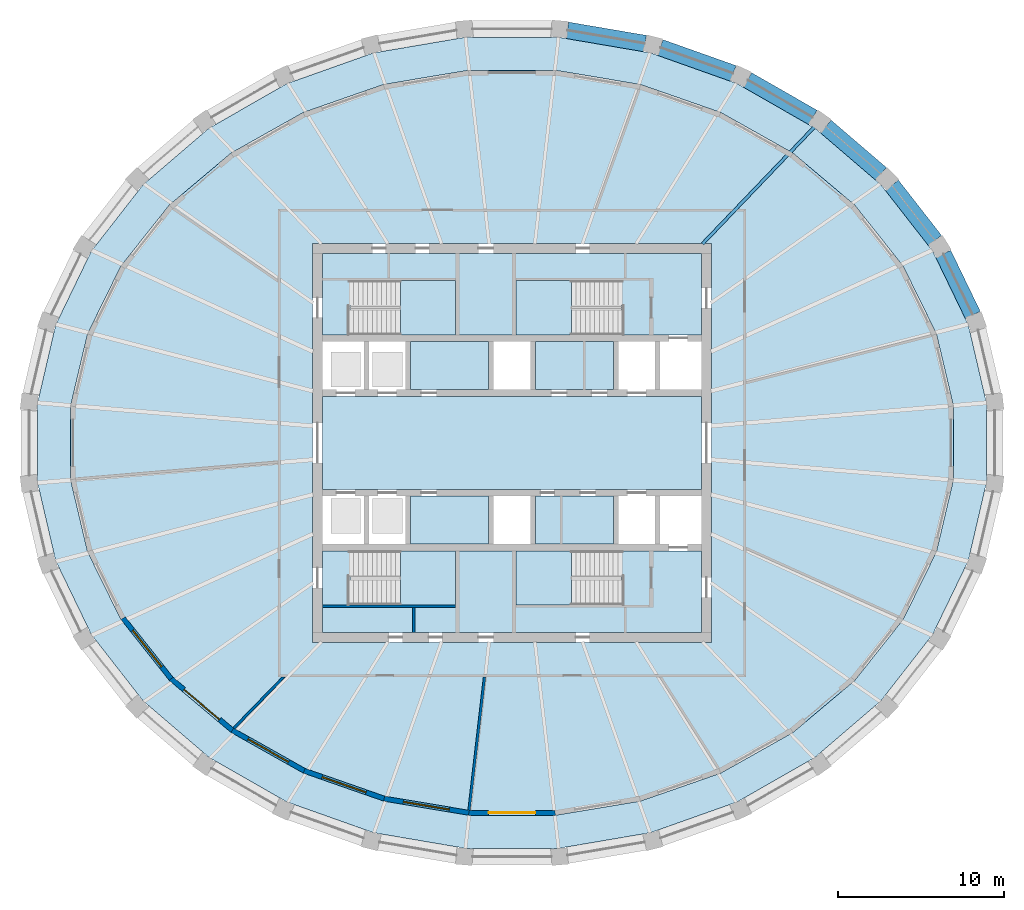
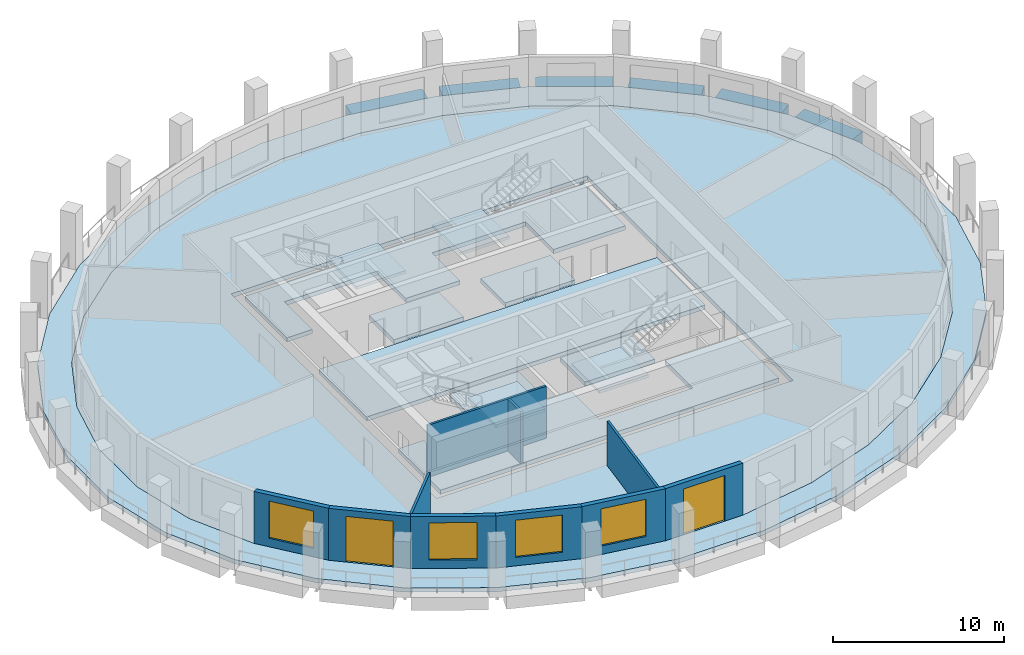
# One storey, part 2 of 10: 13 slabs, 10 walls, 7 beams, 4 windows, 2 doors, 6 openings, 4 elements without a shape of their own.
"""IFC4 building model written with IfcOpenShell, lengths in metres."""

from ifc_helpers import new_model, si_unit, direction, frame, frame_2d, origin, origin_2d, place, context, subcontext, project, spatial, polyline, rectangle, i_section, outline, extrude, material, layer, layer_set, material_profile, profile_set, type_object, element, fill, aggregate, save


model = new_model("IFC4")

# Units and contexts
model_context = context("Model", 3, precision=1e-05, world=origin(), true_north=direction((0.0, 1.0)))
body_context = subcontext(model_context, "Body", "Model", "MODEL_VIEW")
ifc_project = project(units=[si_unit("LENGTHUNIT", "METRE"), si_unit("AREAUNIT", "SQUARE_METRE"), si_unit("VOLUMEUNIT", "CUBIC_METRE"), si_unit("PLANEANGLEUNIT", "RADIAN"), si_unit("MASSUNIT", "GRAM", prefix="KILO")], contexts=[model_context])

# Site, building, storey
site_placement = place(None, origin())
site = spatial("IfcSite", under=ifc_project, at=site_placement, CompositionType="ELEMENT")
building_placement = place(site_placement, origin())
building = spatial("IfcBuilding", under=site, at=building_placement, Name="Halqa Exchange Tower", CompositionType="ELEMENT")
storey_placement = place(building_placement, frame((0.0, 0.0, 296.300048828125)))
storey = spatial("IfcBuildingStorey", under=building, at=storey_placement, Name="L69", CompositionType="ELEMENT", Elevation=296.300048828125)

# Beams
ifc_material_1 = material(Name="Steel S355", Category="steel")
ifc_material_profile_1 = material_profile(ifc_material_1, i_section(OverallWidth=0.18994140625, OverallDepth=0.449951171875, WebThickness=0.009521484375, FlangeThickness=0.0146484375, FilletRadius=0.02099609375, at=origin_2d()), Name="IPE 450")
ifc_profile_set_1 = profile_set([ifc_material_profile_1], Name="Steel S355")
beam_type_1 = type_object("IfcBeamType", Name="Floor beam IPE 450", PredefinedType="BEAM", material=ifc_profile_set_1)
beam_1_placement = place(storey_placement, frame((11.462890625, 11.97216796875, -0.525146484375), z_axis=(0.691588333375, 0.722291891924, 0.0), x_axis=(-0.722291891924, 0.691588333375, 0.0)))
element("IfcBeam", 1, at=beam_1_placement, inside=storey, type_object=beam_type_1, Name="Radial beam 5", PredefinedType="BEAM", context=body_context, shape_type="SweptSolid", body=[
    extrude(i_section(OverallWidth=0.18994140625, OverallDepth=0.449951171875, WebThickness=0.009521484375, FlangeThickness=0.0146484375, FilletRadius=0.02099609375, at=origin_2d()), origin(), (0.0, 0.0, 1.0), 9.820068359375),
])
ifc_material_2 = material(Name="Concrete C60/75", Category="concrete")
ifc_material_profile_2 = material_profile(ifc_material_2, rectangle(XDim=1.0, YDim=0.89990234375, at=origin_2d()), Name="1000 x 900")
ifc_profile_set_2 = profile_set([ifc_material_profile_2], Name="Concrete C60/75")
beam_type_2 = type_object("IfcBeamType", Name="RC spandrel beam 1000 x 900 C60/75", PredefinedType="SPANDREL", material=ifc_profile_set_2)
beam_2_placement = place(storey_placement, frame((27.720703125, 7.689453125, -0.449951171875), z_axis=(-0.435091897701, 0.900386050844, 0.0), x_axis=(-0.900386050844, -0.435091897701, 0.0)))
element("IfcBeam", 2, at=beam_2_placement, inside=storey, type_object=beam_type_2, Name="Spandrel 2", PredefinedType="SPANDREL", context=body_context, shape_type="SweptSolid", body=[
    extrude(rectangle(XDim=1.0, YDim=0.89990234375, at=origin_2d()), origin(), (0.0, 0.0, 1.0), 4.082275390625),
])
beam_3_placement = place(storey_placement, frame((25.4462890625, 12.16650390625, -0.449951171875), z_axis=(-0.614849113514, 0.788644766426, 0.0), x_axis=(-0.788644766426, -0.614849113514, 0.0)))
element("IfcBeam", 3, at=beam_3_placement, inside=storey, type_object=beam_type_2, Name="Spandrel 3", PredefinedType="SPANDREL", context=body_context, shape_type="SweptSolid", body=[
    extrude(rectangle(XDim=1.0, YDim=0.89990234375, at=origin_2d()), origin(), (0.0, 0.0, 1.0), 4.22119140625),
])
beam_4_placement = place(storey_placement, frame((22.19970703125, 16.177978515625, -0.449951171875), z_axis=(-0.759244795716, 0.650805147627, 0.0), x_axis=(-0.650805147627, -0.759244795716, 0.0)))
element("IfcBeam", 4, at=beam_4_placement, inside=storey, type_object=beam_type_2, Name="Spandrel 4", PredefinedType="SPANDREL", context=body_context, shape_type="SweptSolid", body=[
    extrude(rectangle(XDim=1.0, YDim=0.89990234375, at=origin_2d()), origin(), (0.0, 0.0, 1.0), 4.37890625),
])
beam_5_placement = place(storey_placement, frame((18.10302734375, 19.572509765625, -0.449951171875), z_axis=(-0.867765502357, 0.496973875489, 0.0), x_axis=(-0.496973875489, -0.867765502357, 0.0)))
element("IfcBeam", 5, at=beam_5_placement, inside=storey, type_object=beam_type_2, Name="Spandrel 5", PredefinedType="SPANDREL", context=body_context, shape_type="SweptSolid", body=[
    extrude(rectangle(XDim=1.0, YDim=0.89990234375, at=origin_2d()), origin(), (0.0, 0.0, 1.0), 4.533203125),
])
beam_6_placement = place(storey_placement, frame((13.310791015625, 22.2197265625, -0.449951171875), z_axis=(-0.942367036973, 0.334580883535, 0.0), x_axis=(-0.334580883535, -0.942367036973, 0.0)))
element("IfcBeam", 6, at=beam_6_placement, inside=storey, type_object=beam_type_2, Name="Spandrel 6", PredefinedType="SPANDREL", context=body_context, shape_type="SweptSolid", body=[
    extrude(rectangle(XDim=1.0, YDim=0.89990234375, at=origin_2d()), origin(), (0.0, 0.0, 1.0), 4.662109375),
])
beam_7_placement = place(storey_placement, frame((8.00390625, 24.017578125, -0.449951171875), z_axis=(-0.985779293953, 0.168045183248, 0.0), x_axis=(-0.168045183248, -0.985779293953, 0.0)))
element("IfcBeam", 7, at=beam_7_placement, inside=storey, type_object=beam_type_2, Name="Spandrel 7", PredefinedType="SPANDREL", context=body_context, shape_type="SweptSolid", body=[
    extrude(rectangle(XDim=1.0, YDim=0.89990234375, at=origin_2d()), origin(), (0.0, 0.0, 1.0), 4.743408203125),
])

# Slabs
ifc_layer_1 = layer(ifc_material_2, 0.300048828125)
ifc_layer_set_1 = layer_set([ifc_layer_1], Name="Concrete C60/75")
slab_type_1 = type_object("IfcSlabType", Name="Core floor slab 300", PredefinedType="FLOOR", material=ifc_layer_set_1)
slab_1_placement = place(storey_placement, frame((0.0, 0.0, -0.300048828125)))
element("IfcSlab", 8, at=slab_1_placement, inside=storey, type_object=slab_type_1, Name="Core floor slab", PredefinedType="FLOOR", context=body_context, shape_type="SweptSolid", body=[
    extrude(outline(polyline([(-11.39990234375, 2.800048828125), (11.39990234375, 2.800048828125), (11.39990234375, -2.800048828125), (-11.39990234375, -2.800048828125), (-11.39990234375, 2.800048828125)])), origin(), (0.0, 0.0, 1.0), 0.300048828125),
])
slab_2_placement = place(storey_placement, frame((0.0, 0.0, -0.300048828125)))
element("IfcSlab", 9, at=slab_2_placement, inside=storey, type_object=slab_type_1, Name="Core floor slab", PredefinedType="FLOOR", context=body_context, shape_type="SweptSolid", body=[
    extrude(outline(polyline([(-11.39990234375, 11.39990234375), (11.39990234375, 11.39990234375), (11.39990234375, 6.5), (6.550048828125, 6.5), (6.550048828125, 9.75), (0.25, 9.75), (0.25, 6.5), (-3.39990234375, 6.5), (-3.39990234375, 9.75), (-9.699951171875, 9.75), (-9.699951171875, 6.5), (-11.39990234375, 6.5), (-11.39990234375, 11.39990234375)])), origin(), (0.0, 0.0, 1.0), 0.300048828125),
])
slab_3_placement = place(storey_placement, frame((0.0, 0.0, -0.300048828125)))
element("IfcSlab", 10, at=slab_3_placement, inside=storey, type_object=slab_type_1, Name="Core floor slab", PredefinedType="FLOOR", context=body_context, shape_type="SweptSolid", body=[
    extrude(outline(polyline([(-11.39990234375, -6.5), (-9.699951171875, -6.5), (-9.699951171875, -9.75), (-3.39990234375, -9.75), (-3.39990234375, -6.5), (0.25, -6.5), (0.25, -9.75), (6.550048828125, -9.75), (6.550048828125, -6.5), (11.39990234375, -6.5), (11.39990234375, -11.39990234375), (-11.39990234375, -11.39990234375), (-11.39990234375, -6.5)])), origin(), (0.0, 0.0, 1.0), 0.300048828125),
])
slab_4_placement = place(storey_placement, frame((0.0, 0.0, -0.300048828125)))
element("IfcSlab", 11, at=slab_4_placement, inside=storey, type_object=slab_type_1, Name="Core floor slab", PredefinedType="FLOOR", context=body_context, shape_type="SweptSolid", body=[
    extrude(outline(polyline([(-1.39990234375, -3.199951171875), (-1.39990234375, -6.10009765625), (-6.10009765625, -6.10009765625), (-6.10009765625, -3.199951171875), (-1.39990234375, -3.199951171875)])), origin(), (0.0, 0.0, 1.0), 0.300048828125),
])
slab_5_placement = place(storey_placement, frame((0.0, 0.0, -0.300048828125)))
element("IfcSlab", 12, at=slab_5_placement, inside=storey, type_object=slab_type_1, Name="Core floor slab", PredefinedType="FLOOR", context=body_context, shape_type="SweptSolid", body=[
    extrude(outline(polyline([(-1.39990234375, 3.199951171875), (-6.10009765625, 3.199951171875), (-6.10009765625, 6.10009765625), (-1.39990234375, 6.10009765625), (-1.39990234375, 3.199951171875)])), origin(), (0.0, 0.0, 1.0), 0.300048828125),
])
slab_6_placement = place(storey_placement, frame((0.0, 0.0, -0.300048828125)))
element("IfcSlab", 13, at=slab_6_placement, inside=storey, type_object=slab_type_1, Name="Core floor slab", PredefinedType="FLOOR", context=body_context, shape_type="SweptSolid", body=[
    extrude(outline(polyline([(6.10009765625, -3.199951171875), (6.10009765625, -6.10009765625), (1.39990234375, -6.10009765625), (1.39990234375, -3.199951171875), (6.10009765625, -3.199951171875)])), origin(), (0.0, 0.0, 1.0), 0.300048828125),
])
slab_7_placement = place(storey_placement, frame((0.0, 0.0, -0.300048828125)))
element("IfcSlab", 14, at=slab_7_placement, inside=storey, type_object=slab_type_1, Name="Core floor slab", PredefinedType="FLOOR", context=body_context, shape_type="SweptSolid", body=[
    extrude(outline(polyline([(6.10009765625, 6.10009765625), (6.10009765625, 3.199951171875), (1.39990234375, 3.199951171875), (1.39990234375, 6.10009765625), (6.10009765625, 6.10009765625)])), origin(), (0.0, 0.0, 1.0), 0.300048828125),
])
ifc_material_3 = material(Name="Concrete C40/50", Category="concrete")
ifc_layer_2 = layer(ifc_material_3, 0.300048828125)
ifc_layer_set_2 = layer_set([ifc_layer_2], Name="Concrete C40/50")
slab_type_2 = type_object("IfcSlabType", Name="RC floor slab 300", PredefinedType="FLOOR", material=ifc_layer_set_2)
slab_8_placement = place(storey_placement, frame((0.0, 0.0, -0.300048828125)))
element("IfcSlab", 15, at=slab_8_placement, inside=storey, type_object=slab_type_2, Name="Floor slab", PredefinedType="FLOOR", context=body_context, shape_type="SweptSolid", body=[
    extrude(outline(polyline([(26.55712890625, 2.21240234375), (25.5322265625, 6.55078125), (23.523681640625, 10.63330078125), (20.611572265625, 14.302978515625), (16.90966796875, 17.419921875), (12.561279296875, 19.866455078125), (7.733642578125, 21.550048828125), (2.611083984375, 22.407958984375), (-2.611083984375, 22.407958984375), (-7.733642578125, 21.550048828125), (-12.561279296875, 19.866455078125), (-16.90966796875, 17.419921875), (-20.611572265625, 14.302978515625), (-23.523681640625, 10.63330078125), (-25.5322265625, 6.55078125), (-26.55712890625, 2.21240234375), (-26.55712890625, -2.21240234375), (-25.5322265625, -6.55078125), (-23.523681640625, -10.63330078125), (-20.611572265625, -14.302978515625), (-16.90966796875, -17.419921875), (-12.561279296875, -19.866455078125), (-7.733642578125, -21.550048828125), (-2.611083984375, -22.407958984375), (2.611083984375, -22.407958984375), (7.733642578125, -21.550048828125), (12.561279296875, -19.866455078125), (16.90966796875, -17.419921875), (20.611572265625, -14.302978515625), (23.523681640625, -10.63330078125), (25.5322265625, -6.55078125), (26.55712890625, -2.21240234375), (26.55712890625, 2.21240234375)]), holes=[polyline([(-12.0, -12.0), (12.0, -12.0), (12.0, 12.0), (-12.0, 12.0), (-12.0, -12.0)])]), origin(), (0.0, 0.0, 1.0), 0.300048828125),
])
ifc_layer_3 = layer(ifc_material_3, 0.300048828125)
ifc_layer_set_3 = layer_set([ifc_layer_3], Name="Concrete C40/50")
slab_type_3 = type_object("IfcSlabType", Name="RC loggia slab 300", PredefinedType="FLOOR", material=ifc_layer_set_3)
slab_9_placement = place(storey_placement, frame((0.0, 0.0, -0.300048828125)))
element("IfcSlab", 16, at=slab_9_placement, inside=storey, type_object=slab_type_3, Name="Loggia slab", PredefinedType="FLOOR", context=body_context, shape_type="SweptSolid", body=[
    extrude(outline(polyline([(28.543701171875, 2.39453125), (28.543701171875, -2.39453125), (27.452880859375, -7.09423828125), (25.311279296875, -11.526611328125), (22.1962890625, -15.522216796875), (18.224853515625, -18.926513671875), (13.547607421875, -21.60498046875), (8.34521484375, -23.452392578125), (2.818359375, -24.39453125), (-2.818359375, -24.39453125), (-8.34521484375, -23.452392578125), (-13.547607421875, -21.60498046875), (-18.224853515625, -18.926513671875), (-22.1962890625, -15.522216796875), (-25.311279296875, -11.526611328125), (-27.452880859375, -7.09423828125), (-28.543701171875, -2.39453125), (-28.543701171875, 2.39453125), (-27.452880859375, 7.09423828125), (-25.311279296875, 11.526611328125), (-22.1962890625, 15.522216796875), (-18.224853515625, 18.926513671875), (-13.547607421875, 21.60498046875), (-8.34521484375, 23.452392578125), (-2.818359375, 24.39453125), (2.818359375, 24.39453125), (8.34521484375, 23.452392578125), (13.547607421875, 21.60498046875), (18.224853515625, 18.926513671875), (22.1962890625, 15.522216796875), (25.311279296875, 11.526611328125), (27.452880859375, 7.09423828125), (28.543701171875, 2.39453125)]), holes=[polyline([(26.55712890625, 2.21240234375), (25.5322265625, 6.55078125), (23.523681640625, 10.63330078125), (20.611572265625, 14.302978515625), (16.90966796875, 17.419921875), (12.561279296875, 19.866455078125), (7.733642578125, 21.550048828125), (2.611083984375, 22.407958984375), (-2.611083984375, 22.407958984375), (-7.733642578125, 21.550048828125), (-12.561279296875, 19.866455078125), (-16.90966796875, 17.419921875), (-20.611572265625, 14.302978515625), (-23.523681640625, 10.63330078125), (-25.5322265625, 6.55078125), (-26.55712890625, 2.21240234375), (-26.55712890625, -2.21240234375), (-25.5322265625, -6.55078125), (-23.523681640625, -10.63330078125), (-20.611572265625, -14.302978515625), (-16.90966796875, -17.419921875), (-12.561279296875, -19.866455078125), (-7.733642578125, -21.550048828125), (-2.611083984375, -22.407958984375), (2.611083984375, -22.407958984375), (7.733642578125, -21.550048828125), (12.561279296875, -19.866455078125), (16.90966796875, -17.419921875), (20.611572265625, -14.302978515625), (23.523681640625, -10.63330078125), (25.5322265625, -6.55078125), (26.55712890625, -2.21240234375), (26.55712890625, 2.21240234375)])]), origin(), (0.0, 0.0, 1.0), 0.300048828125),
])

# Stair, slab
ifc_material_4 = material(Name="Concrete C30/37", Category="concrete")
stair_type = type_object("IfcStairType", Name="Exit stair 1500 wide", PredefinedType="HALF_TURN_STAIR", material=ifc_material_4)
stair_1_placement = place(storey_placement, origin())
stair_1 = element("IfcStair", 17, at=stair_1_placement, inside=storey, type_object=stair_type, Name="Exit stair ST1", PredefinedType="HALF_TURN_STAIR")
ifc_layer_4 = layer(ifc_material_4, 0.199951171875)
ifc_layer_set_4 = layer_set([ifc_layer_4], Name="Concrete C30/37")
slab_type_4 = type_object("IfcSlabType", Name="Stair landing 200 slab", PredefinedType="LANDING", material=ifc_layer_set_4)
slab_10_placement = place(storey_placement, frame((0.0, 0.0, 1.800048828125)))
slab_10 = element("IfcSlab", 18, at=slab_10_placement, type_object=slab_type_4, Name="ST1 landing 1", PredefinedType="LANDING", context=body_context, shape_type="SweptSolid", body=[
    extrude(outline(polyline([(-6.719970703125, 6.5), (-3.39990234375, 6.5), (-3.39990234375, 9.75), (-6.719970703125, 9.75), (-6.719970703125, 6.5)])), origin(), (0.0, 0.0, 1.0), 0.199951171875),
])
aggregate(stair_1, [slab_10])

stair_2_placement = place(storey_placement, origin())
stair_2 = element("IfcStair", 19, at=stair_2_placement, inside=storey, type_object=stair_type, Name="Exit stair ST2", PredefinedType="HALF_TURN_STAIR")
slab_11_placement = place(storey_placement, frame((0.0, 0.0, 1.800048828125)))
slab_11 = element("IfcSlab", 20, at=slab_11_placement, type_object=slab_type_4, Name="ST2 landing 1", PredefinedType="LANDING", context=body_context, shape_type="SweptSolid", body=[
    extrude(outline(polyline([(0.25, 6.5), (3.570068359375, 6.5), (3.570068359375, 9.75), (0.25, 9.75), (0.25, 6.5)])), origin(), (0.0, 0.0, 1.0), 0.199951171875),
])
aggregate(stair_2, [slab_11])

stair_3_placement = place(storey_placement, origin())
stair_3 = element("IfcStair", 21, at=stair_3_placement, inside=storey, type_object=stair_type, Name="Exit stair ST3", PredefinedType="HALF_TURN_STAIR")
slab_12_placement = place(storey_placement, frame((0.0, 0.0, 1.800048828125)))
slab_12 = element("IfcSlab", 22, at=slab_12_placement, type_object=slab_type_4, Name="ST3 landing 1", PredefinedType="LANDING", context=body_context, shape_type="SweptSolid", body=[
    extrude(outline(polyline([(-6.719970703125, -9.75), (-3.39990234375, -9.75), (-3.39990234375, -6.5), (-6.719970703125, -6.5), (-6.719970703125, -9.75)])), origin(), (0.0, 0.0, 1.0), 0.199951171875),
])
aggregate(stair_3, [slab_12])

stair_4_placement = place(storey_placement, origin())
stair_4 = element("IfcStair", 23, at=stair_4_placement, inside=storey, type_object=stair_type, Name="Exit stair ST4", PredefinedType="HALF_TURN_STAIR")
slab_13_placement = place(storey_placement, frame((0.0, 0.0, 1.800048828125)))
slab_13 = element("IfcSlab", 24, at=slab_13_placement, type_object=slab_type_4, Name="ST4 landing 1", PredefinedType="LANDING", context=body_context, shape_type="SweptSolid", body=[
    extrude(outline(polyline([(0.25, -9.75), (3.570068359375, -9.75), (3.570068359375, -6.5), (0.25, -6.5), (0.25, -9.75)])), origin(), (0.0, 0.0, 1.0), 0.199951171875),
])
aggregate(stair_4, [slab_13])

# Walls
ifc_material_5 = material(Name="Fire-rated gypsum board")
ifc_layer_5 = layer(ifc_material_5, 0.14990234375)
ifc_layer_set_5 = layer_set([ifc_layer_5], Name="Fire-rated gypsum board")
wall_type_1 = type_object("IfcWallType", Name="Fire partition EI 60 150", PredefinedType="PARTITIONING", material=ifc_layer_set_5)
wall_1_placement = place(storey_placement, frame((-13.67236328125, -14.02294921875, 0.0), z_axis=(0.0, 0.0, 1.0), x_axis=(-0.697528481307, -0.716557058277, 0.0)))
element("IfcWall", 25, at=wall_1_placement, inside=storey, type_object=wall_type_1, Name="L69-PWL-006", PredefinedType="PARTITIONING", context=body_context, shape_type="SweptSolid", body=[
    extrude(outline(polyline([(0.0, 0.074951171875), (0.0, 0.07470703125), (0.1455078125, -0.074951171875), (1.555419921875, -0.074951171875), (2.965087890625, -0.074951171875), (4.375, -0.074951171875), (4.375, 0.074951171875), (2.916748046875, 0.074951171875), (1.458251953125, 0.074951171875), (0.0, 0.074951171875)])), origin(), (0.0, 0.0, 1.0), 3.699951171875),
])
wall_2_placement = place(storey_placement, frame((-1.647705078125, -14.06640625, 0.0), z_axis=(0.0, 0.0, 1.0), x_axis=(-0.115734847025, -0.993280144362, 0.0)))
element("IfcWall", 26, at=wall_2_placement, inside=storey, type_object=wall_type_1, Name="L69-PWL-007", PredefinedType="PARTITIONING", context=body_context, shape_type="SweptSolid", body=[
    extrude(outline(polyline([(8.092041015625, -0.074951171875), (8.092041015625, 0.033935546875), (8.087158203125, 0.074951171875), (6.4697265625, 0.074951171875), (4.852294921875, 0.074951171875), (3.23486328125, 0.074951171875), (1.617431640625, 0.074951171875), (0.0, 0.074951171875), (0.0, 0.07421875), (0.017333984375, -0.074951171875), (1.63232421875, -0.074951171875), (3.247314453125, -0.074951171875), (4.862060546875, -0.074951171875), (6.47705078125, -0.074951171875), (8.092041015625, -0.074951171875)])), origin(), (0.0, 0.0, 1.0), 3.14990234375),
])
ifc_material_6 = material(Name="Gypsum board")
ifc_layer_6 = layer(ifc_material_6, 0.14990234375)
ifc_layer_set_6 = layer_set([ifc_layer_6], Name="Gypsum board")
wall_type_2 = type_object("IfcWallType", Name="Penthouse riser wall 150 gypsum", PredefinedType="PARTITIONING", material=ifc_layer_set_6)
wall_3_placement = place(storey_placement, frame((-5.925048828125, -11.39990234375, 0.0), z_axis=(0.0, 0.0, 1.0), x_axis=(0.0, 1.0, 0.0)))
element("IfcWall", 27, at=wall_3_placement, inside=storey, type_object=wall_type_2, Name="Partition W5.925 S", PredefinedType="PARTITIONING", context=body_context, shape_type="SweptSolid", body=[
    extrude(rectangle(XDim=1.5, YDim=0.14990234375, at=frame_2d((0.75, 0.0))), origin(), (0.0, 0.0, 1.0), 3.699951171875),
])
ifc_layer_7 = layer(ifc_material_4, 0.14990234375)
ifc_layer_set_7 = layer_set([ifc_layer_7], Name="Concrete C30/37")
wall_type_3 = type_object("IfcWallType", Name="RC stair wall 150 C30/37", PredefinedType="SHEAR", material=ifc_layer_set_7)
wall_4_placement = place(storey_placement, frame((-11.39990234375, -9.824951171875, 0.0), z_axis=(0.0, 0.0, 1.0), x_axis=(1.0, 0.0, 0.0)))
element("IfcWall", 28, at=wall_4_placement, inside=storey, type_object=wall_type_3, Name="Stair ST1 north wall S", PredefinedType="SHEAR", context=body_context, shape_type="SweptSolid", body=[
    extrude(rectangle(XDim=8.0, YDim=0.14990234375, at=frame_2d((4.0, 0.0))), origin(), (0.0, 0.0, 1.0), 3.699951171875),
])

# Wall, opening, window
ifc_material_7 = material(Name="Limestone cladding", Category="masonry")
ifc_layer_8 = layer(ifc_material_7, 0.0400390625)
ifc_material_8 = material(Name="Ventilated cavity")
ifc_layer_9 = layer(ifc_material_8, 0.030029296875, ventilated=True)
ifc_material_9 = material(Name="Mineral wool insulation")
ifc_layer_10 = layer(ifc_material_9, 0.10009765625)
ifc_layer_11 = layer(ifc_material_4, 0.10009765625)
ifc_material_10 = material(Name="Internal plaster")
ifc_layer_12 = layer(ifc_material_10, 0.030029296875)
ifc_layer_set_8 = layer_set([ifc_layer_8, ifc_layer_9, ifc_layer_10, ifc_layer_11, ifc_layer_12], Name="Stone-faced insulated wall 300")
wall_type_4 = type_object("IfcWallType", Name="Stone-faced insulated wall 300", PredefinedType="STANDARD", material=ifc_layer_set_8)
wall_5_placement = place(storey_placement, frame((-23.396240234375, -10.552734375, 0.0), z_axis=(0.0, 0.0, 1.0), x_axis=(0.621625671247, -0.783314448256, 0.0)))
wall_5 = element("IfcWall", 29, at=wall_5_placement, inside=storey, type_object=wall_type_4, Name="Glass-line wall 19", PredefinedType="STANDARD", context=body_context, shape_type="SweptSolid", body=[
    extrude(outline(polyline([(-0.01611328125, -0.14990234375), (4.668701171875, -0.14990234375), (4.638427734375, 0.14990234375), (0.01611328125, 0.14990234375), (-0.01611328125, -0.14990234375)])), origin(), (0.0, 0.0, 1.0), 3.699951171875),
])
opening_1_placement = place(wall_5_placement, frame((0.927001953125, 0.0, 0.60009765625)))
opening_1 = element("IfcOpeningElement", 30, at=opening_1_placement, cuts=wall_5, Name="Opening W-F4-19", PredefinedType="OPENING", context=body_context, shape_type="SweptSolid", body=[
    extrude(rectangle(XDim=2.800048828125, YDim=2.64990234375, at=frame_2d((1.39990234375, 1.324951171875))), frame((0.0, 0.162109375, 0.0), z_axis=(0.0, -1.0, 0.0), x_axis=(1.0, 0.0, 0.0)), (0.0, 0.0, 1.0), 0.323974609375),
])
ifc_material_11 = material(Name="Clear low-emissivity glass in aluminium frame", Category="aluminium")
window_type = type_object("IfcWindowType", Name="Fixed clear glazed window 2800 x 2650", PartitioningType="DOUBLE_PANEL_VERTICAL", PredefinedType="WINDOW", material=ifc_material_11)
window_1_placement = place(opening_1_placement, origin())
window_1 = element("IfcWindow", 31, at=window_1_placement, inside=storey, type_object=window_type, Name="Window 4", OverallHeight=2.64990234375, OverallWidth=2.800048828125, PartitioningType="DOUBLE_PANEL_VERTICAL", PredefinedType="WINDOW", context=body_context, shape_type="SweptSolid", body=[
    extrude(rectangle(XDim=2.800048828125, YDim=2.64990234375, at=frame_2d((1.39990234375, 1.324951171875))), frame((0.0, 0.030029296875, 0.0), z_axis=(0.0, -1.0, 0.0), x_axis=(1.0, 0.0, 0.0)), (0.0, 0.0, 1.0), 0.06005859375),
])
fill(opening_1, window_1)

# Wall, opening, door
wall_6_placement = place(storey_placement, frame((-20.50341796875, -14.197998046875, 0.0), z_axis=(0.0, 0.0, 1.0), x_axis=(0.764966473721, -0.644070100286, 0.0)))
wall_6 = element("IfcWall", 32, at=wall_6_placement, inside=storey, type_object=wall_type_4, Name="Glass-line wall 20", PredefinedType="STANDARD", context=body_context, shape_type="SweptSolid", body=[
    extrude(outline(polyline([(-0.01513671875, -0.14990234375), (4.824462890625, -0.14990234375), (4.796142578125, 0.14990234375), (0.01513671875, 0.14990234375), (-0.01513671875, -0.14990234375)])), origin(), (0.0, 0.0, 1.0), 3.699951171875),
])
opening_2_placement = place(wall_6_placement, frame((1.005126953125, 0.0, 0.0)))
opening_2 = element("IfcOpeningElement", 33, at=opening_2_placement, cuts=wall_6, Name="Opening LG-F4-05", PredefinedType="OPENING", context=body_context, shape_type="SweptSolid", body=[
    extrude(rectangle(XDim=2.800048828125, YDim=3.25, at=frame_2d((1.39990234375, 1.625))), frame((0.0, 0.162109375, 0.0), z_axis=(0.0, -1.0, 0.0), x_axis=(1.0, 0.0, 0.0)), (0.0, 0.0, 1.0), 0.323974609375),
])
door_type = type_object("IfcDoorType", Name="Glazed sliding loggia door 2800 x 3250", OperationType="DOUBLE_DOOR_SLIDING", PredefinedType="DOOR", material=ifc_material_11)
door_1_placement = place(opening_2_placement, origin())
door_1 = element("IfcDoor", 34, at=door_1_placement, inside=storey, type_object=door_type, Name="Loggia door 5", OperationType="DOUBLE_DOOR_SLIDING", OverallHeight=3.25, OverallWidth=2.800048828125, PredefinedType="DOOR", context=body_context, shape_type="SweptSolid", body=[
    extrude(rectangle(XDim=2.800048828125, YDim=3.25, at=frame_2d((1.39990234375, 1.625))), frame((0.0, 0.02490234375, 0.0), z_axis=(0.0, -1.0, 0.0), x_axis=(1.0, 0.0, 0.0)), (0.0, 0.0, 1.0), 0.050048828125),
])
fill(opening_2, door_1)

# Wall, opening, window
wall_7_placement = place(storey_placement, frame((-16.82373046875, -17.296142578125, 0.0), z_axis=(0.0, 0.0, 1.0), x_axis=(0.871512454536, -0.490373369575, 0.0)))
wall_7 = element("IfcWall", 35, at=wall_7_placement, inside=storey, type_object=wall_type_4, Name="Glass-line wall 21", PredefinedType="STANDARD", context=body_context, shape_type="SweptSolid", body=[
    extrude(outline(polyline([(-0.01416015625, -0.14990234375), (4.97509765625, -0.14990234375), (4.9482421875, 0.14990234375), (0.01416015625, 0.14990234375), (-0.01416015625, -0.14990234375)])), origin(), (0.0, 0.0, 1.0), 3.699951171875),
])
opening_3_placement = place(wall_7_placement, frame((1.080810546875, 0.0, 0.60009765625)))
opening_3 = element("IfcOpeningElement", 36, at=opening_3_placement, cuts=wall_7, Name="Opening W-F4-21", PredefinedType="OPENING", context=body_context, shape_type="SweptSolid", body=[
    extrude(rectangle(XDim=2.800048828125, YDim=2.64990234375, at=frame_2d((1.39990234375, 1.324951171875))), frame((0.0, 0.162109375, 0.0), z_axis=(0.0, -1.0, 0.0), x_axis=(1.0, 0.0, 0.0)), (0.0, 0.0, 1.0), 0.323974609375),
])
window_2_placement = place(opening_3_placement, origin())
window_2 = element("IfcWindow", 37, at=window_2_placement, inside=storey, type_object=window_type, Name="Window 4", OverallHeight=2.64990234375, OverallWidth=2.800048828125, PartitioningType="DOUBLE_PANEL_VERTICAL", PredefinedType="WINDOW", context=body_context, shape_type="SweptSolid", body=[
    extrude(rectangle(XDim=2.800048828125, YDim=2.64990234375, at=frame_2d((1.39990234375, 1.324951171875))), frame((0.0, 0.030029296875, 0.0), z_axis=(0.0, -1.0, 0.0), x_axis=(1.0, 0.0, 0.0)), (0.0, 0.0, 1.0), 0.06005859375),
])
fill(opening_3, window_2)

wall_8_placement = place(storey_placement, frame((-12.49951171875, -19.729248046875, 0.0), z_axis=(0.0, 0.0, 1.0), x_axis=(0.944230376095, -0.329285585564, 0.0)))
wall_8 = element("IfcWall", 38, at=wall_8_placement, inside=storey, type_object=wall_type_4, Name="Glass-line wall 22", PredefinedType="STANDARD", context=body_context, shape_type="SweptSolid", body=[
    extrude(outline(polyline([(-0.013427734375, -0.14990234375), (5.099609375, -0.14990234375), (5.07421875, 0.14990234375), (0.013427734375, 0.14990234375), (-0.013427734375, -0.14990234375)])), origin(), (0.0, 0.0, 1.0), 3.699951171875),
])
opening_4_placement = place(wall_8_placement, frame((1.143310546875, 0.0, 0.60009765625)))
opening_4 = element("IfcOpeningElement", 39, at=opening_4_placement, cuts=wall_8, Name="Opening W-F4-22", PredefinedType="OPENING", context=body_context, shape_type="SweptSolid", body=[
    extrude(rectangle(XDim=2.800048828125, YDim=2.64990234375, at=frame_2d((1.39990234375, 1.324951171875))), frame((0.0, 0.162109375, 0.0), z_axis=(0.0, -1.0, 0.0), x_axis=(1.0, 0.0, 0.0)), (0.0, 0.0, 1.0), 0.323974609375),
])
window_3_placement = place(opening_4_placement, origin())
window_3 = element("IfcWindow", 40, at=window_3_placement, inside=storey, type_object=window_type, Name="Window 4", OverallHeight=2.64990234375, OverallWidth=2.800048828125, PartitioningType="DOUBLE_PANEL_VERTICAL", PredefinedType="WINDOW", context=body_context, shape_type="SweptSolid", body=[
    extrude(rectangle(XDim=2.800048828125, YDim=2.64990234375, at=frame_2d((1.39990234375, 1.324951171875))), frame((0.0, 0.030029296875, 0.0), z_axis=(0.0, -1.0, 0.0), x_axis=(1.0, 0.0, 0.0)), (0.0, 0.0, 1.0), 0.06005859375),
])
fill(opening_4, window_3)

wall_9_placement = place(storey_placement, frame((-7.6962890625, -21.404296875, 0.0), z_axis=(0.0, 0.0, 1.0), x_axis=(0.986263399459, -0.165180225475, 0.0)))
wall_9 = element("IfcWall", 41, at=wall_9_placement, inside=storey, type_object=wall_type_4, Name="Glass-line wall 23", PredefinedType="STANDARD", context=body_context, shape_type="SweptSolid", body=[
    extrude(outline(polyline([(-0.0126953125, -0.14990234375), (5.18115234375, -0.14990234375), (5.15625, 0.14990234375), (0.0126953125, 0.14990234375), (-0.0126953125, -0.14990234375)])), origin(), (0.0, 0.0, 1.0), 3.699951171875),
])
opening_5_placement = place(wall_9_placement, frame((1.184326171875, 0.0, 0.60009765625)))
opening_5 = element("IfcOpeningElement", 42, at=opening_5_placement, cuts=wall_9, Name="Opening W-F4-23", PredefinedType="OPENING", context=body_context, shape_type="SweptSolid", body=[
    extrude(rectangle(XDim=2.800048828125, YDim=2.64990234375, at=frame_2d((1.39990234375, 1.324951171875))), frame((0.0, 0.162109375, 0.0), z_axis=(0.0, -1.0, 0.0), x_axis=(1.0, 0.0, 0.0)), (0.0, 0.0, 1.0), 0.323974609375),
])
window_4_placement = place(opening_5_placement, origin())
window_4 = element("IfcWindow", 43, at=window_4_placement, inside=storey, type_object=window_type, Name="Window 4", OverallHeight=2.64990234375, OverallWidth=2.800048828125, PartitioningType="DOUBLE_PANEL_VERTICAL", PredefinedType="WINDOW", context=body_context, shape_type="SweptSolid", body=[
    extrude(rectangle(XDim=2.800048828125, YDim=2.64990234375, at=frame_2d((1.39990234375, 1.324951171875))), frame((0.0, 0.030029296875, 0.0), z_axis=(0.0, -1.0, 0.0), x_axis=(1.0, 0.0, 0.0)), (0.0, 0.0, 1.0), 0.06005859375),
])
fill(opening_5, window_4)

# Wall, opening, door
wall_10_placement = place(storey_placement, frame((-2.5986328125, -22.258056640625, 0.0), z_axis=(0.0, 0.0, 1.0), x_axis=(1.0, 0.0, 0.0)))
wall_10 = element("IfcWall", 44, at=wall_10_placement, inside=storey, type_object=wall_type_4, Name="Glass-line wall 24", PredefinedType="STANDARD", context=body_context, shape_type="SweptSolid", body=[
    extrude(outline(polyline([(-0.012451171875, -0.14990234375), (5.209716796875, -0.14990234375), (5.184814453125, 0.14990234375), (0.012451171875, 0.14990234375), (-0.012451171875, -0.14990234375)])), origin(), (0.0, 0.0, 1.0), 3.699951171875),
])
opening_6_placement = place(wall_10_placement, frame((1.198486328125, 0.0, 0.0)))
opening_6 = element("IfcOpeningElement", 45, at=opening_6_placement, cuts=wall_10, Name="Opening LG-F4-06", PredefinedType="OPENING", context=body_context, shape_type="SweptSolid", body=[
    extrude(rectangle(XDim=2.800048828125, YDim=3.25, at=frame_2d((1.39990234375, 1.625))), frame((0.0, 0.162109375, 0.0), z_axis=(0.0, -1.0, 0.0), x_axis=(1.0, 0.0, 0.0)), (0.0, 0.0, 1.0), 0.323974609375),
])
door_2_placement = place(opening_6_placement, origin())
door_2 = element("IfcDoor", 46, at=door_2_placement, inside=storey, type_object=door_type, Name="Loggia door 6", OperationType="DOUBLE_DOOR_SLIDING", OverallHeight=3.25, OverallWidth=2.800048828125, PredefinedType="DOOR", context=body_context, shape_type="SweptSolid", body=[
    extrude(rectangle(XDim=2.800048828125, YDim=3.25, at=frame_2d((1.39990234375, 1.625))), frame((0.0, 0.02490234375, 0.0), z_axis=(0.0, -1.0, 0.0), x_axis=(1.0, 0.0, 0.0)), (0.0, 0.0, 1.0), 0.050048828125),
])
fill(opening_6, door_2)

save(model, "model.ifc")
